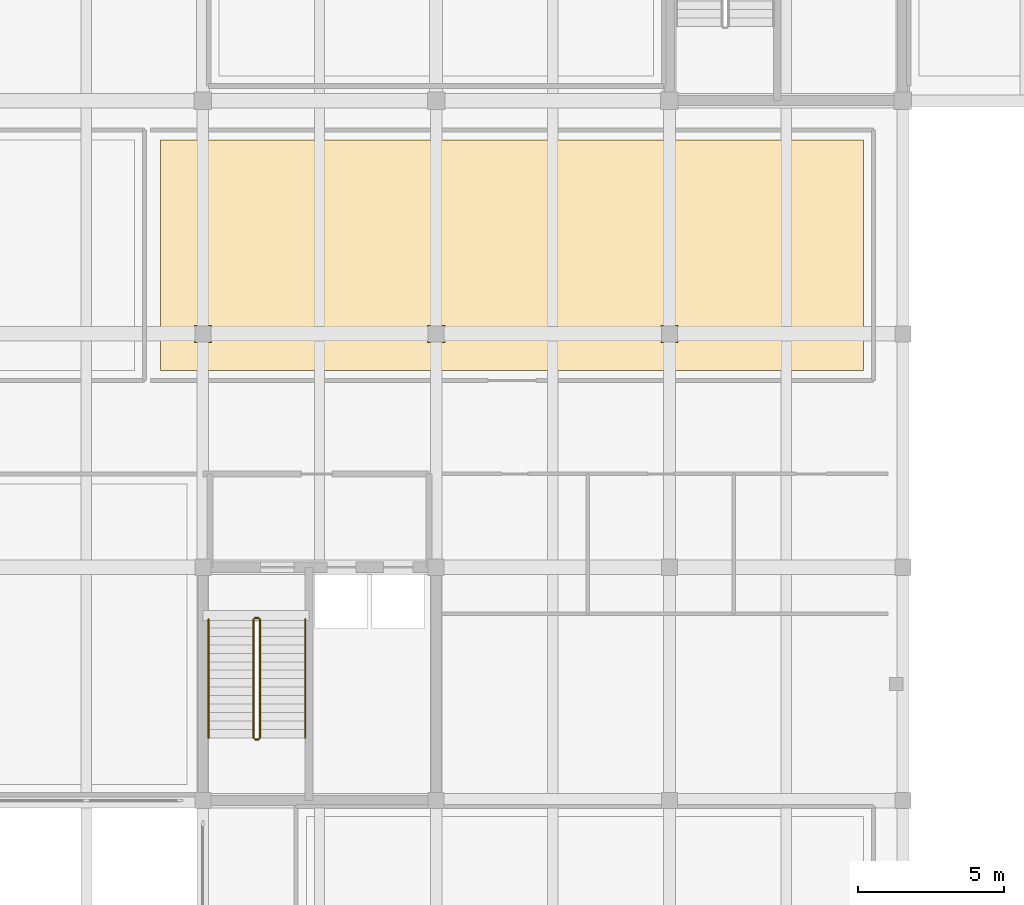
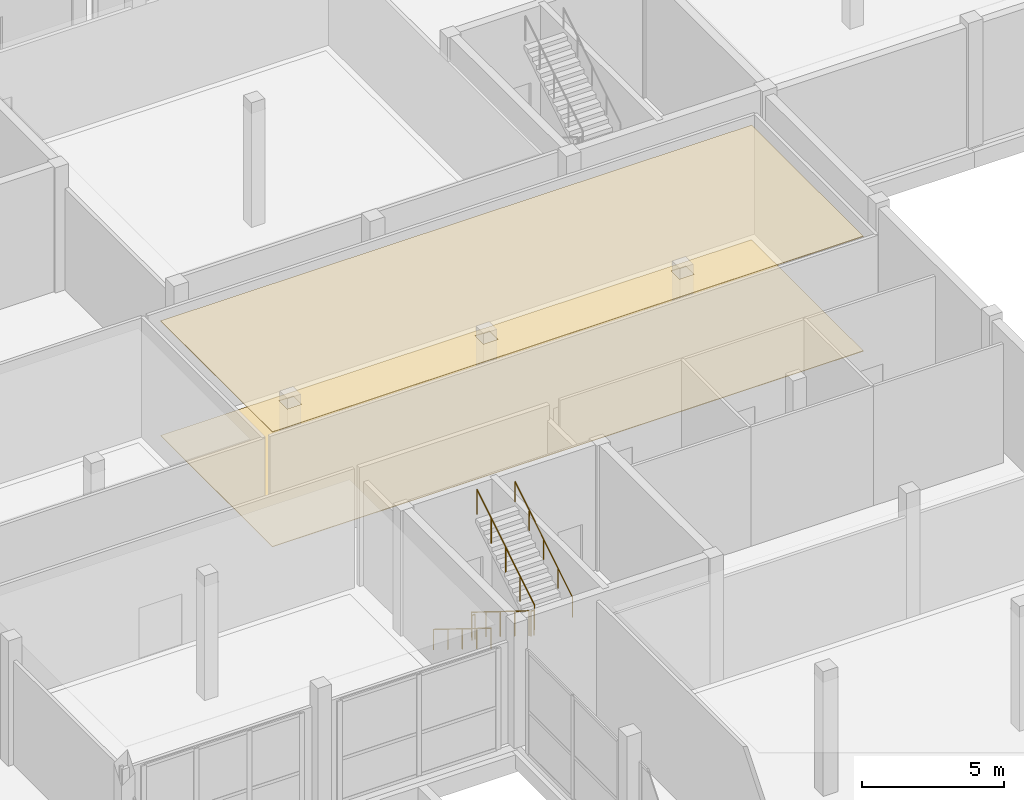
# One storey, part 35 of 41: 6 railings, 2 coverings.
"""IFC4 building model written with IfcOpenShell, lengths in metres."""

from ifc_helpers import new_model, si_unit, direction, frame, origin, origin_2d, place, context, subcontext, project, spatial, polyline, circle, outline, extrude, material, layer, layer_set, type_object, element, save


model = new_model("IFC4")

# Units and contexts
model_context = context("Model", 3, precision=1e-05, world=origin(), true_north=direction((0.0, 1.0)))
body_context = subcontext(model_context, "Body", "Model", "MODEL_VIEW")
ifc_project = project(units=[si_unit("LENGTHUNIT", "METRE"), si_unit("AREAUNIT", "SQUARE_METRE"), si_unit("VOLUMEUNIT", "CUBIC_METRE"), si_unit("PLANEANGLEUNIT", "RADIAN"), si_unit("MASSUNIT", "GRAM", prefix="KILO")], contexts=[model_context])

# Site, building, storey
site_placement = place(None, origin())
site = spatial("IfcSite", under=ifc_project, at=site_placement, CompositionType="ELEMENT")
building_placement = place(site_placement, origin())
building = spatial("IfcBuilding", under=site, at=building_placement, Name="Vharandega Faculty of Natural Sciences", CompositionType="ELEMENT")
storey_placement = place(building_placement, origin())
storey = spatial("IfcBuildingStorey", under=building, at=storey_placement, Name="L00", CompositionType="ELEMENT", Elevation=0.0)

# Covering
ifc_material_1 = material(Name="Perforated acoustic timber ceiling panels", Category="wood")
ifc_layer_1 = layer(ifc_material_1, 0.030029296875, Name="Perforated acoustic timber ceiling panels")
ifc_layer_set_1 = layer_set([ifc_layer_1], Name="Perforated acoustic timber ceiling panels")
covering_type_1 = type_object("IfcCoveringType", Name="Perforated Acoustic Timber Ceiling 30mm", PredefinedType="CEILING", material=ifc_layer_set_1)
covering_1_placement = place(storey_placement, frame((0.0, 0.0, 4.93994140625)))
element("IfcCovering", 1, at=covering_1_placement, inside=storey, type_object=covering_type_1, Name="L00-SEM03 Acoustic Ceiling", PredefinedType="CEILING", context=body_context, shape_type="SweptSolid", body=[
    extrude(outline(polyline([(30.550048828125, 54.75), (54.64990234375, 54.75), (54.64990234375, 62.64990234375), (30.550048828125, 62.64990234375), (30.550048828125, 54.75)]), holes=[polyline([(31.705078125, 55.705078125), (32.294921875, 55.705078125), (32.294921875, 56.294921875), (31.705078125, 56.294921875), (31.705078125, 55.705078125)]), polyline([(39.705078125, 55.705078125), (40.294921875, 55.705078125), (40.294921875, 56.294921875), (39.705078125, 56.294921875), (39.705078125, 55.705078125)]), polyline([(47.705078125, 55.705078125), (48.294921875, 55.705078125), (48.294921875, 56.294921875), (47.705078125, 56.294921875), (47.705078125, 55.705078125)])]), origin(), (0.0, 0.0, 1.0), 0.030029296875),
])

# Railings
ifc_material_2 = material(Name="Brushed stainless steel handrail", Category="steel")
railing_type_1 = type_object("IfcRailingType", Name="Stair Tubular Handrail 900", PredefinedType="HANDRAIL", material=ifc_material_2)
railing_1_placement = place(storey_placement, frame((32.18994140625, 46.2099609375, 0.179931640625)))
element("IfcRailing", 2, at=railing_1_placement, inside=storey, type_object=railing_type_1, Name="L00 ST3 stair handrail 1", PredefinedType="HANDRAIL", context=body_context, shape_type="SweptSolid", body=[
    extrude(circle(Radius=0.02392578125, at=origin_2d()), frame((0.0, 0.0, 0.8759765625), z_axis=(0.0, -0.849641744969, 0.527360318194), x_axis=(1.0, 0.0, 0.0)), (0.0, 0.0, 1.0), 4.778564453125),
    extrude(circle(Radius=0.02099609375, at=origin_2d()), origin(), (0.0, 0.0, 1.0), 0.851806640625),
    extrude(circle(Radius=0.02099609375, at=origin_2d()), frame((0.0, -1.01513671875, 0.6298828125)), (0.0, 0.0, 1.0), 0.851806640625),
    extrude(circle(Radius=0.02099609375, at=origin_2d()), frame((0.0, -2.030029296875, 1.260009765625)), (0.0, 0.0, 1.0), 0.851806640625),
    extrude(circle(Radius=0.02099609375, at=origin_2d()), frame((0.0, -3.044921875, 1.89013671875)), (0.0, 0.0, 1.0), 0.851806640625),
    extrude(circle(Radius=0.02099609375, at=origin_2d()), frame((0.0, -4.06005859375, 2.52001953125)), (0.0, 0.0, 1.0), 0.851806640625),
])
railing_2_placement = place(storey_placement, frame((35.510009765625, 42.14990234375, 2.8798828125)))
element("IfcRailing", 3, at=railing_2_placement, inside=storey, type_object=railing_type_1, Name="L00 ST3 stair handrail 2", PredefinedType="HANDRAIL", context=body_context, shape_type="SweptSolid", body=[
    extrude(circle(Radius=0.02392578125, at=origin_2d()), frame((0.0, 0.0, 0.8759765625), z_axis=(0.0, 0.849641744969, 0.527360318194), x_axis=(-1.0, 0.0, 0.0)), (0.0, 0.0, 1.0), 4.778564453125),
    extrude(circle(Radius=0.02099609375, at=origin_2d()), origin(), (0.0, 0.0, 1.0), 0.851806640625),
    extrude(circle(Radius=0.02099609375, at=origin_2d()), frame((0.0, 1.01513671875, 0.6298828125)), (0.0, 0.0, 1.0), 0.851806640625),
    extrude(circle(Radius=0.02099609375, at=origin_2d()), frame((0.0, 2.030029296875, 1.260009765625)), (0.0, 0.0, 1.0), 0.851806640625),
    extrude(circle(Radius=0.02099609375, at=origin_2d()), frame((0.0, 3.044921875, 1.89013671875)), (0.0, 0.0, 1.0), 0.851806640625),
    extrude(circle(Radius=0.02099609375, at=origin_2d()), frame((0.0, 4.06005859375, 2.52001953125)), (0.0, 0.0, 1.0), 0.851806640625),
])
ifc_material_3 = material(Name="Painted steel stair guardrail", Category="steel")
railing_type_2 = type_object("IfcRailingType", Name="Stairwell Steel Guardrail 1100", PredefinedType="GUARDRAIL", material=ifc_material_3)
railing_3_placement = place(storey_placement, frame((33.739990234375, 46.2099609375, 0.179931640625)))
element("IfcRailing", 4, at=railing_3_placement, inside=storey, type_object=railing_type_2, Name="L00 ST3 stair guard 1", PredefinedType="GUARDRAIL", context=body_context, shape_type="SweptSolid", body=[
    extrude(circle(Radius=0.02392578125, at=origin_2d()), frame((0.0, 0.0, 1.076171875), z_axis=(0.0, -0.849641744969, 0.527360318194), x_axis=(1.0, 0.0, 0.0)), (0.0, 0.0, 1.0), 4.778564453125),
    extrude(circle(Radius=0.02099609375, at=origin_2d()), origin(), (0.0, 0.0, 1.0), 1.052001953125),
    extrude(circle(Radius=0.02099609375, at=origin_2d()), frame((0.0, -1.01513671875, 0.6298828125)), (0.0, 0.0, 1.0), 1.052001953125),
    extrude(circle(Radius=0.02099609375, at=origin_2d()), frame((0.0, -2.030029296875, 1.260009765625)), (0.0, 0.0, 1.0), 1.052001953125),
    extrude(circle(Radius=0.02099609375, at=origin_2d()), frame((0.0, -3.044921875, 1.89013671875)), (0.0, 0.0, 1.0), 1.052001953125),
    extrude(circle(Radius=0.02099609375, at=origin_2d()), frame((0.0, -4.06005859375, 2.52001953125)), (0.0, 0.0, 1.0), 1.052001953125),
])
railing_4_placement = place(storey_placement, frame((33.7900390625, 42.10009765625, 2.699951171875)))
element("IfcRailing", 5, at=railing_4_placement, inside=storey, type_object=railing_type_2, Name="L00 ST3 stair guard 2", PredefinedType="GUARDRAIL", context=body_context, shape_type="SweptSolid", body=[
    extrude(circle(Radius=0.02392578125, at=origin_2d()), frame((0.0, 0.0, 1.076171875), z_axis=(1.0, 0.0, 0.0), x_axis=(0.0, 1.0, 0.0)), (0.0, 0.0, 1.0), 0.119873046875),
    extrude(circle(Radius=0.02099609375, at=origin_2d()), origin(), (0.0, 0.0, 1.0), 1.052001953125),
    extrude(circle(Radius=0.02099609375, at=origin_2d()), frame((0.119873046875, 0.0, 0.0)), (0.0, 0.0, 1.0), 1.052001953125),
])
railing_5_placement = place(storey_placement, frame((33.9599609375, 42.14990234375, 2.8798828125)))
element("IfcRailing", 6, at=railing_5_placement, inside=storey, type_object=railing_type_2, Name="L00 ST3 stair guard 3", PredefinedType="GUARDRAIL", context=body_context, shape_type="SweptSolid", body=[
    extrude(circle(Radius=0.02392578125, at=origin_2d()), frame((0.0, 0.0, 1.076171875), z_axis=(0.0, 0.849641744969, 0.527360318194), x_axis=(-1.0, 0.0, 0.0)), (0.0, 0.0, 1.0), 4.778564453125),
    extrude(circle(Radius=0.02099609375, at=origin_2d()), origin(), (0.0, 0.0, 1.0), 1.052001953125),
    extrude(circle(Radius=0.02099609375, at=origin_2d()), frame((0.0, 1.01513671875, 0.6298828125)), (0.0, 0.0, 1.0), 1.052001953125),
    extrude(circle(Radius=0.02099609375, at=origin_2d()), frame((0.0, 2.030029296875, 1.260009765625)), (0.0, 0.0, 1.0), 1.052001953125),
    extrude(circle(Radius=0.02099609375, at=origin_2d()), frame((0.0, 3.044921875, 1.89013671875)), (0.0, 0.0, 1.0), 1.052001953125),
    extrude(circle(Radius=0.02099609375, at=origin_2d()), frame((0.0, 4.06005859375, 2.52001953125)), (0.0, 0.0, 1.0), 1.052001953125),
])
railing_6_placement = place(storey_placement, frame((33.7900390625, 46.260009765625, 0.0)))
element("IfcRailing", 7, at=railing_6_placement, inside=storey, type_object=railing_type_2, Name="L00 ST3 stair guard 4", PredefinedType="GUARDRAIL", context=body_context, shape_type="SweptSolid", body=[
    extrude(circle(Radius=0.02392578125, at=origin_2d()), frame((0.0, 0.0, 1.076171875), z_axis=(1.0, 0.0, 0.0), x_axis=(0.0, 1.0, 0.0)), (0.0, 0.0, 1.0), 0.119873046875),
    extrude(circle(Radius=0.02099609375, at=origin_2d()), origin(), (0.0, 0.0, 1.0), 1.052001953125),
    extrude(circle(Radius=0.02099609375, at=origin_2d()), frame((0.119873046875, 0.0, 0.0)), (0.0, 0.0, 1.0), 1.052001953125),
])

# Covering
ifc_material_4 = material(Name="Polished Harare granite terrazzo flooring", Category="masonry")
ifc_layer_2 = layer(ifc_material_4, 0.02490234375, Name="Polished Harare granite terrazzo flooring")
ifc_layer_set_2 = layer_set([ifc_layer_2], Name="Polished Harare granite terrazzo flooring")
covering_type_2 = type_object("IfcCoveringType", Name="Terrazzo Concourse Flooring 25mm", PredefinedType="FLOORING", material=ifc_layer_set_2)
covering_2_placement = place(storey_placement, origin())
element("IfcCovering", 8, at=covering_2_placement, inside=storey, type_object=covering_type_2, Name="L00-SEM03 Finish Flooring", PredefinedType="FLOORING", context=body_context, shape_type="SweptSolid", body=[
    extrude(outline(polyline([(30.550048828125, 54.75), (54.64990234375, 54.75), (54.64990234375, 62.64990234375), (30.550048828125, 62.64990234375), (30.550048828125, 54.75)])), origin(), (0.0, 0.0, 1.0), 0.02490234375),
])

save(model, "model.ifc")
